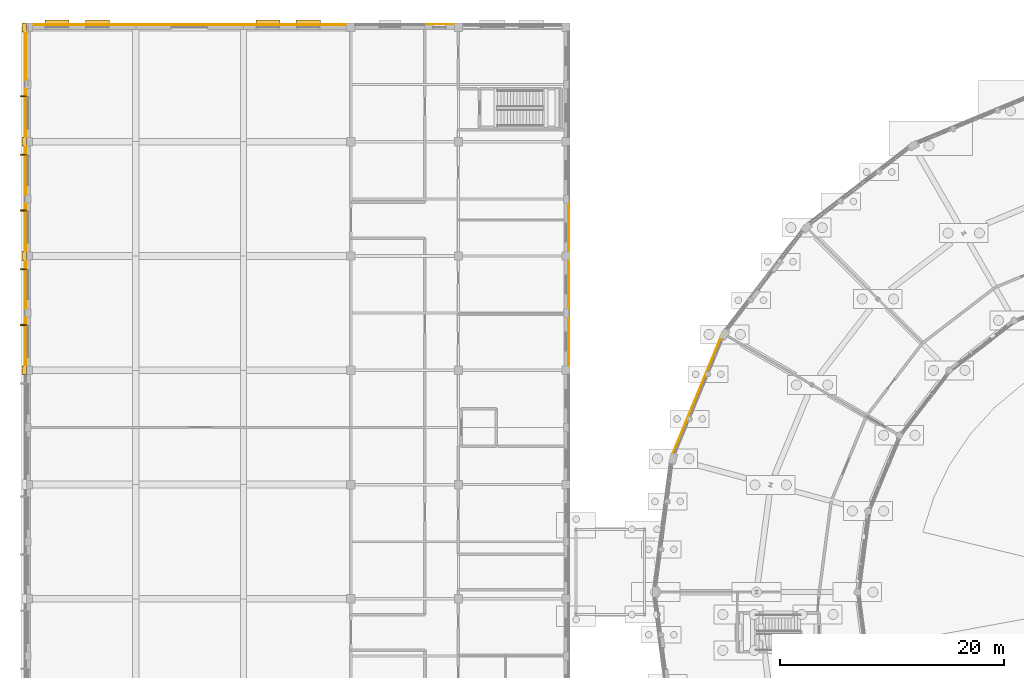
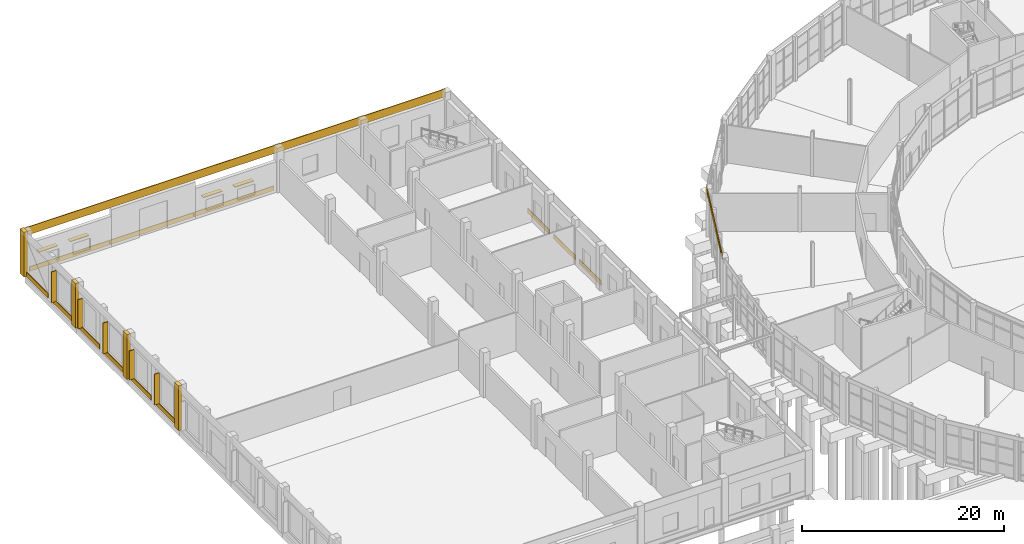
# One storey, part 126 of 137: 18 coverings, 9 shading devices.
"""IFC4 building model written with IfcOpenShell, lengths in metres."""

from ifc_helpers import new_model, si_unit, direction, frame, origin, origin_2d, place, context, subcontext, project, spatial, rectangle, extrude, material, layer, layer_set, type_object, element, save


model = new_model("IFC4")

# Units and contexts
model_context = context("Model", 3, precision=1e-05, world=origin(), true_north=direction((0.0, 1.0)))
body_context = subcontext(model_context, "Body", "Model", "MODEL_VIEW")
ifc_project = project(units=[si_unit("LENGTHUNIT", "METRE"), si_unit("AREAUNIT", "SQUARE_METRE"), si_unit("VOLUMEUNIT", "CUBIC_METRE"), si_unit("PLANEANGLEUNIT", "RADIAN"), si_unit("MASSUNIT", "GRAM", prefix="KILO")], contexts=[model_context])

# Site, building, storey
site_placement = place(None, origin())
site = spatial("IfcSite", under=ifc_project, at=site_placement, CompositionType="ELEMENT")
building_placement = place(site_placement, origin())
building = spatial("IfcBuilding", under=site, at=building_placement, Name="Vondelvale Polytechnic", CompositionType="ELEMENT")
storey_placement = place(building_placement, origin())
storey = spatial("IfcBuildingStorey", under=building, at=storey_placement, Name="L00", CompositionType="ELEMENT", Elevation=0.0)

# Coverings
ifc_material_1 = material(Name="Malmsbury bluestone ashlar stone masonry", Category="masonry")
ifc_layer_1 = layer(ifc_material_1, 0.080078125)
ifc_layer_set_1 = layer_set([ifc_layer_1], Name="COV-BLUESTONE-PLINTH")
covering_type_1 = type_object("IfcCoveringType", Name="COV-BLUESTONE-PLINTH", PredefinedType="CLADDING", material=ifc_layer_set_1)
covering_1_placement = place(storey_placement, frame((24.0, 122.659912109375, 4.43994140625), z_axis=(0.0, 0.0, 1.0), x_axis=(1.0, 0.0, 0.0)))
element("IfcCovering", 1, at=covering_1_placement, inside=storey, type_object=covering_type_1, Name="L00 exterior masonry spandrel band", PredefinedType="CLADDING", context=body_context, shape_type="SweptSolid", body=[
    extrude(rectangle(XDim=48.0, YDim=0.080078125, at=origin_2d()), origin(), (0.0, 0.0, 1.0), 0.9599609375),
])
for number, where, z_axis, x_axis, name in (
    (2, (-0.236083984375, 94.362548828125, 0.0), (0.0, 0.0, 1.0), (0.0, 1.0, 0.0), "L00 exterior corbelled masonry relief band"),
    (3, (-0.236083984375, 99.4375, 0.0), (0.0, 0.0, 1.0), (0.0, 1.0, 0.0), "L00 exterior corbelled masonry relief band"),
    (4, (-0.236083984375, 104.5625, 0.0), (0.0, 0.0, 1.0), (0.0, 1.0, 0.0), "L00 exterior corbelled masonry relief band"),
    (5, (-0.236083984375, 109.637451171875, 0.0), (0.0, 0.0, 1.0), (0.0, 1.0, 0.0), "L00 exterior corbelled masonry relief band"),
    (6, (-0.236083984375, 114.762451171875, 0.0), (0.0, 0.0, 1.0), (0.0, 1.0, 0.0), "L00 exterior corbelled masonry relief band"),
    (7, (-0.236083984375, 119.83740234375, 0.0), (0.0, 0.0, 1.0), (0.0, 1.0, 0.0), "L00 exterior corbelled masonry relief band"),
    (8, (48.236083984375, 94.362548828125, 0.0), (0.0, 0.0, 1.0), (0.0, -1.0, 0.0), "L00 exterior corbelled masonry relief band"),
    (9, (48.236083984375, 99.4375, 0.0), (0.0, 0.0, 1.0), (0.0, -1.0, 0.0), "L00 exterior corbelled masonry relief band"),
    (10, (48.236083984375, 104.5625, 0.0), (0.0, 0.0, 1.0), (0.0, -1.0, 0.0), "L00 exterior corbelled masonry relief band"),
):
    element("IfcCovering", number, at=place(storey_placement, frame(where, z_axis=z_axis, x_axis=x_axis)), inside=storey, type_object=covering_type_1, Name=name, PredefinedType="CLADDING", context=body_context, shape_type="SweptSolid", body=[
        extrude(rectangle(XDim=4.31298828125, YDim=0.080078125, at=origin_2d()), origin(), (0.0, 0.0, 1.0), 0.550048828125),
    ])
covering_2_placement = place(storey_placement, frame((4.988037109375, 122.635986328125, 0.0), z_axis=(0.0, 0.0, 1.0), x_axis=(1.0, 0.0, 0.0)))
element("IfcCovering", 11, at=covering_2_placement, inside=storey, type_object=covering_type_1, Name="L00 exterior corbelled masonry relief band", PredefinedType="CLADDING", context=body_context, shape_type="SweptSolid", body=[
    extrude(rectangle(XDim=9.1640625, YDim=0.080078125, at=origin_2d()), origin(), (0.0, 0.0, 1.0), 0.550048828125),
])
covering_3_placement = place(storey_placement, frame((14.39990234375, 122.635986328125, 0.0), z_axis=(0.0, 0.0, 1.0), x_axis=(1.0, 0.0, 0.0)))
element("IfcCovering", 12, at=covering_3_placement, inside=storey, type_object=covering_type_1, Name="L00 exterior corbelled masonry relief band", PredefinedType="CLADDING", context=body_context, shape_type="SweptSolid", body=[
    extrude(rectangle(XDim=9.5400390625, YDim=0.080078125, at=origin_2d()), origin(), (0.0, 0.0, 1.0), 0.550048828125),
])
covering_4_placement = place(storey_placement, frame((23.81201171875, 122.635986328125, 0.0), z_axis=(0.0, 0.0, 1.0), x_axis=(1.0, 0.0, 0.0)))
element("IfcCovering", 13, at=covering_4_placement, inside=storey, type_object=covering_type_1, Name="L00 exterior corbelled masonry relief band", PredefinedType="CLADDING", context=body_context, shape_type="SweptSolid", body=[
    extrude(rectangle(XDim=9.1640625, YDim=0.080078125, at=origin_2d()), origin(), (0.0, 0.0, 1.0), 0.550048828125),
])
for number, where, z_axis, x_axis, name in (
    (14, (-0.340087890625, 91.800048828125, 0.0), (0.0, 0.0, 1.0), (1.0, 0.0, 0.0), "L00 Workshop giant-order brick buttress pier"),
    (15, (-0.340087890625, 102.0, 0.0), (0.0, 0.0, 1.0), (1.0, 0.0, 0.0), "L00 Workshop giant-order brick buttress pier"),
    (16, (-0.340087890625, 112.199951171875, 0.0), (0.0, 0.0, 1.0), (1.0, 0.0, 0.0), "L00 Workshop giant-order brick buttress pier"),
    (17, (-0.340087890625, 122.39990234375, 0.0), (0.0, 0.0, 1.0), (1.0, 0.0, 0.0), "L00 Workshop giant-order brick buttress pier"),
):
    element("IfcCovering", number, at=place(storey_placement, frame(where, z_axis=z_axis, x_axis=x_axis)), inside=storey, type_object=covering_type_1, Name=name, PredefinedType="CLADDING", context=body_context, shape_type="SweptSolid", body=[
        extrude(rectangle(XDim=0.39990234375, YDim=0.780029296875, at=origin_2d()), origin(), (0.0, 0.0, 1.0), 5.39990234375),
    ])
ifc_material_2 = material(Name="Engineered Tasmanian oak studio and bridge joinery")
ifc_layer_2 = layer(ifc_material_2, 0.06494140625)
ifc_layer_set_2 = layer_set([ifc_layer_2], Name="COV-OAK-SPANDREL")
covering_type_2 = type_object("IfcCoveringType", Name="COV-OAK-SPANDREL", PredefinedType="CLADDING", material=ifc_layer_set_2)
covering_5_placement = place(storey_placement, frame((59.67041015625, 89.533447265625, 4.919921875), z_axis=(0.0, 0.0, 1.0), x_axis=(-0.382683432365, -0.923879532511, 0.0)))
element("IfcCovering", 18, at=covering_5_placement, inside=storey, type_object=covering_type_2, Name="L00 exterior masonry spandrel band", PredefinedType="CLADDING", context=body_context, shape_type="SweptSolid", body=[
    extrude(rectangle(XDim=12.00830078125, YDim=0.06494140625, at=origin_2d()), origin(), (0.0, 0.0, 1.0), 0.47998046875),
])

# Shading devices
ifc_material_3 = material(Name="Anodised extruded aluminium 6063-T6", Category="aluminium")
shading_device_type_1 = type_object("IfcShadingDeviceType", Name="SHD-BRONZE-LOUVRE", PredefinedType="SHUTTER", material=ifc_material_3)
for number, where, z_axis, x_axis, name in (
    (19, (2.575927734375, 122.824951171875, 1.907470703125), (0.0, 0.0, 1.0), (1.0, 0.0, 0.0), "L00 horizontal bronze sun-louvre overhang"),
    (20, (6.176025390625, 122.824951171875, 1.907470703125), (0.0, 0.0, 1.0), (1.0, 0.0, 0.0), "L00 horizontal bronze sun-louvre overhang"),
    (21, (21.39990234375, 122.824951171875, 1.907470703125), (0.0, 0.0, 1.0), (1.0, 0.0, 0.0), "L00 horizontal bronze sun-louvre overhang"),
    (22, (25.0, 122.824951171875, 1.907470703125), (0.0, 0.0, 1.0), (1.0, 0.0, 0.0), "L00 horizontal bronze sun-louvre overhang"),
):
    element("IfcShadingDevice", number, at=place(storey_placement, frame(where, z_axis=z_axis, x_axis=x_axis)), inside=storey, type_object=shading_device_type_1, Name=name, PredefinedType="SHUTTER", context=body_context, shape_type="SweptSolid", body=[
        extrude(rectangle(XDim=2.159912109375, YDim=0.47998046875, at=origin_2d()), origin(), (0.0, 0.0, 1.0), 0.0849609375),
    ])
ifc_material_4 = material(Name="Kiln-fired architectural terracotta", Category="masonry")
shading_device_type_2 = type_object("IfcShadingDeviceType", Name="SHD-TERRA-FIN-550", PredefinedType="JALOUSIE", material=ifc_material_4)
shading_device_1_placement = place(storey_placement, frame((-0.4599609375, 95.8525390625, 0.490234375), z_axis=(0.0, 0.0, 1.0), x_axis=(0.0, 1.0, 0.0)))
element("IfcShadingDevice", 23, at=shading_device_1_placement, inside=storey, type_object=shading_device_type_2, Name="L00 vertical terracotta solar fin", PredefinedType="JALOUSIE", context=body_context, shape_type="SweptSolid", body=[
    extrude(rectangle(XDim=0.110107421875, YDim=0.550048828125, at=origin_2d()), origin(), (0.0, 0.0, 1.0), 3.719970703125),
])
shading_device_2_placement = place(storey_placement, frame((-0.4599609375, 100.827392578125, 0.489990234375), z_axis=(0.0, 0.0, 1.0), x_axis=(0.0, 1.0, 0.0)))
element("IfcShadingDevice", 24, at=shading_device_2_placement, inside=storey, type_object=shading_device_type_2, Name="L00 vertical terracotta solar fin", PredefinedType="JALOUSIE", context=body_context, shape_type="SweptSolid", body=[
    extrude(rectangle(XDim=0.110107421875, YDim=0.550048828125, at=origin_2d()), origin(), (0.0, 0.0, 1.0), 3.52001953125),
])
shading_device_3_placement = place(storey_placement, frame((-0.4599609375, 106.052490234375, 0.490234375), z_axis=(0.0, 0.0, 1.0), x_axis=(0.0, 1.0, 0.0)))
element("IfcShadingDevice", 25, at=shading_device_3_placement, inside=storey, type_object=shading_device_type_2, Name="L00 vertical terracotta solar fin", PredefinedType="JALOUSIE", context=body_context, shape_type="SweptSolid", body=[
    extrude(rectangle(XDim=0.110107421875, YDim=0.550048828125, at=origin_2d()), origin(), (0.0, 0.0, 1.0), 3.719970703125),
])
shading_device_4_placement = place(storey_placement, frame((-0.4599609375, 111.027587890625, 0.489990234375), z_axis=(0.0, 0.0, 1.0), x_axis=(0.0, 1.0, 0.0)))
element("IfcShadingDevice", 26, at=shading_device_4_placement, inside=storey, type_object=shading_device_type_2, Name="L00 vertical terracotta solar fin", PredefinedType="JALOUSIE", context=body_context, shape_type="SweptSolid", body=[
    extrude(rectangle(XDim=0.110107421875, YDim=0.550048828125, at=origin_2d()), origin(), (0.0, 0.0, 1.0), 3.52001953125),
])
shading_device_5_placement = place(storey_placement, frame((-0.4599609375, 116.25244140625, 0.490234375), z_axis=(0.0, 0.0, 1.0), x_axis=(0.0, 1.0, 0.0)))
element("IfcShadingDevice", 27, at=shading_device_5_placement, inside=storey, type_object=shading_device_type_2, Name="L00 vertical terracotta solar fin", PredefinedType="JALOUSIE", context=body_context, shape_type="SweptSolid", body=[
    extrude(rectangle(XDim=0.110107421875, YDim=0.550048828125, at=origin_2d()), origin(), (0.0, 0.0, 1.0), 3.719970703125),
])

save(model, "model.ifc")
